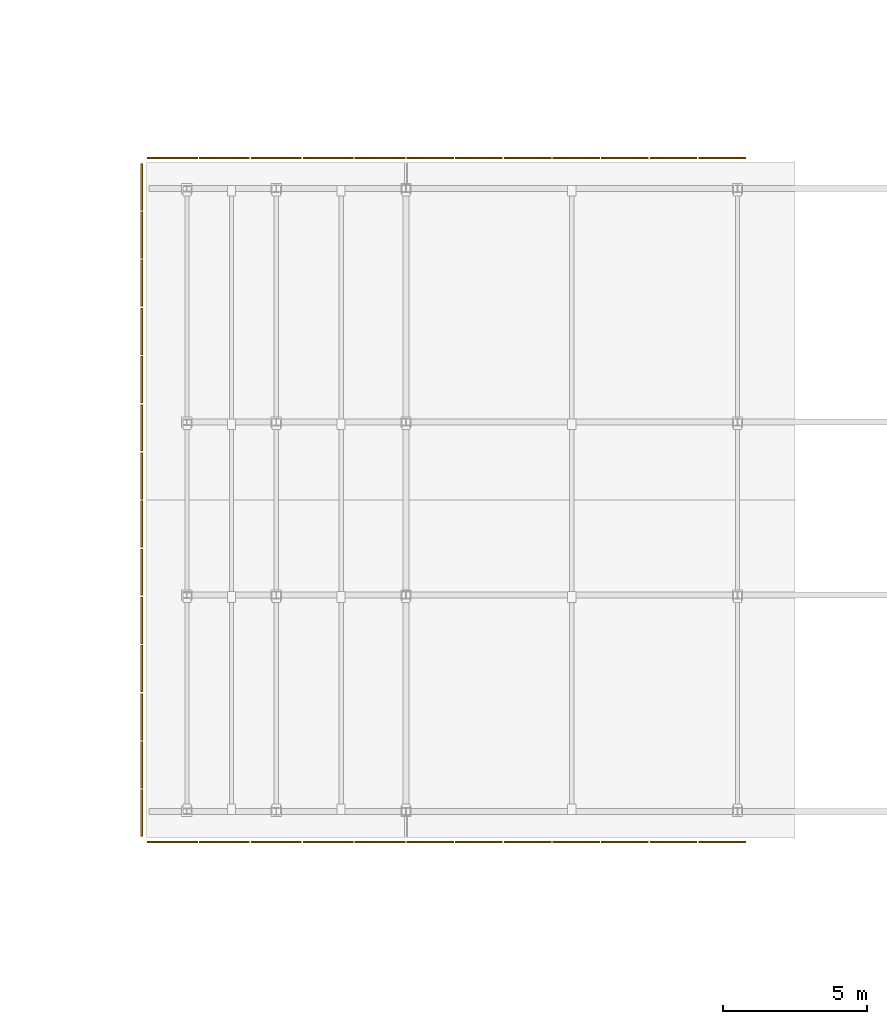
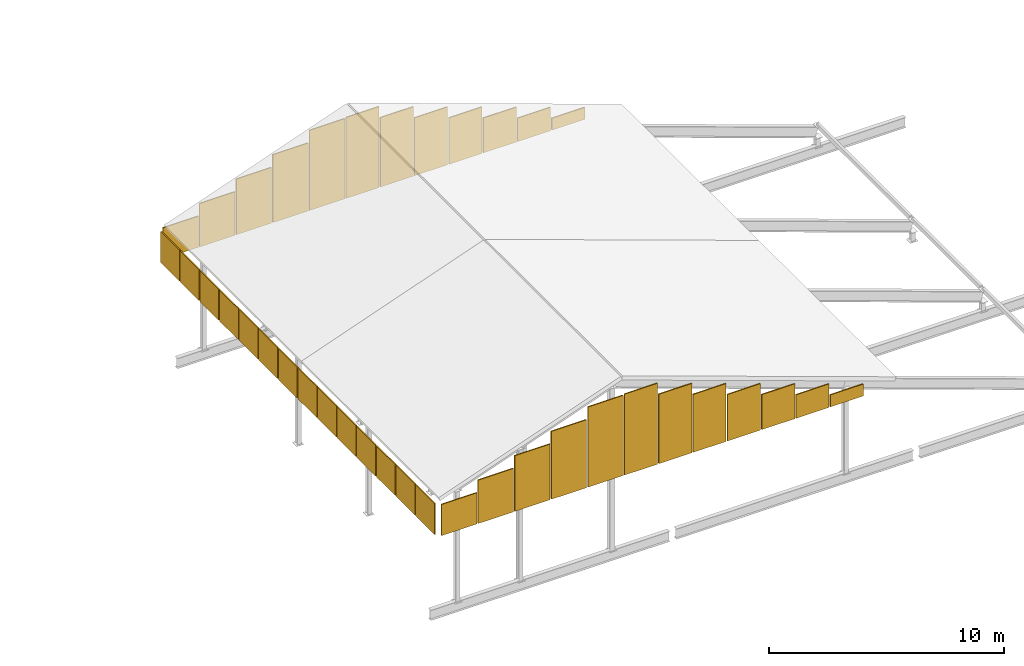
# One storey, part 42 of 42: 38 coverings.
"""IFC4 building model written with IfcOpenShell, lengths in metres."""

from ifc_helpers import new_model, si_unit, direction, frame, origin, origin_2d, place, context, subcontext, project, spatial, rectangle, extrude, material, layer, layer_set, type_object, element, save


model = new_model("IFC4")

# Units and contexts
model_context = context("Model", 3, precision=1e-05, world=origin(), true_north=direction((0.0, 1.0)))
body_context = subcontext(model_context, "Body", "Model", "MODEL_VIEW")
ifc_project = project(units=[si_unit("LENGTHUNIT", "METRE"), si_unit("AREAUNIT", "SQUARE_METRE"), si_unit("VOLUMEUNIT", "CUBIC_METRE"), si_unit("PLANEANGLEUNIT", "RADIAN"), si_unit("MASSUNIT", "GRAM", prefix="KILO")], contexts=[model_context])

# Site, building, storey
site_placement = place(None, origin())
site = spatial("IfcSite", under=ifc_project, at=site_placement, CompositionType="ELEMENT")
building_placement = place(site_placement, origin())
building = spatial("IfcBuilding", under=site, at=building_placement, Name="Kelmvaro Bay Concert Hall", CompositionType="ELEMENT")
storey_placement = place(building_placement, frame((0.0, 0.0, 26.699951171875)))
storey = spatial("IfcBuildingStorey", under=building, at=storey_placement, Name="RF", CompositionType="ELEMENT", Elevation=26.699951171875)

# Coverings
ifc_material = material(Name="Honed Florida Limestone Travertine", Category="masonry")
ifc_layer = layer(ifc_material, 0.054931640625)
ifc_layer_set = layer_set([ifc_layer], Name="Honed Florida Limestone Travertine")
covering_type = type_object("IfcCoveringType", Name="Honed Florida Travertine Rainscreen Cladding 55", PredefinedType="CLADDING", material=ifc_layer_set)
for number, where, z_axis, x_axis, name in (
    (1, (131.83447265625, 16.435791015625, 0.0), (0.0, 0.0, 1.0), (0.0, 1.0, 0.0), "RF Crown Travertine Gable Panel 0874"),
    (2, (131.83447265625, 18.107177734375, 0.0), (0.0, 0.0, 1.0), (0.0, 1.0, 0.0), "RF Crown Travertine Gable Panel 0876"),
    (3, (131.83447265625, 19.778564453125, 0.0), (0.0, 0.0, 1.0), (0.0, 1.0, 0.0), "RF Crown Travertine Gable Panel 0878"),
    (4, (131.83447265625, 21.449951171875, 0.0), (0.0, 0.0, 1.0), (0.0, 1.0, 0.0), "RF Crown Travertine Gable Panel 0880"),
    (5, (131.83447265625, 23.121337890625, 0.0), (0.0, 0.0, 1.0), (0.0, 1.0, 0.0), "RF Crown Travertine Gable Panel 0882"),
    (6, (131.83447265625, 24.79296875, 0.0), (0.0, 0.0, 1.0), (0.0, 1.0, 0.0), "RF Crown Travertine Gable Panel 0884"),
    (7, (131.83447265625, 26.46435546875, 0.0), (0.0, 0.0, 1.0), (0.0, 1.0, 0.0), "RF Crown Travertine Gable Panel 0886"),
    (8, (131.83447265625, 28.1357421875, 0.0), (0.0, 0.0, 1.0), (0.0, 1.0, 0.0), "RF Crown Travertine Gable Panel 0888"),
    (9, (131.83447265625, 29.80712890625, 0.0), (0.0, 0.0, 1.0), (0.0, 1.0, 0.0), "RF Crown Travertine Gable Panel 0890"),
    (10, (131.83447265625, 31.478515625, 0.0), (0.0, 0.0, 1.0), (0.0, 1.0, 0.0), "RF Crown Travertine Gable Panel 0892"),
    (11, (131.83447265625, 33.14990234375, 0.0), (0.0, 0.0, 1.0), (0.0, 1.0, 0.0), "RF Crown Travertine Gable Panel 0894"),
    (12, (131.83447265625, 34.8212890625, 0.0), (0.0, 0.0, 1.0), (0.0, 1.0, 0.0), "RF Crown Travertine Gable Panel 0896"),
    (13, (131.83447265625, 36.492919921875, 0.0), (0.0, 0.0, 1.0), (0.0, 1.0, 0.0), "RF Crown Travertine Gable Panel 0898"),
    (14, (131.83447265625, 38.164306640625, 0.0), (0.0, 0.0, 1.0), (0.0, 1.0, 0.0), "RF Crown Travertine Gable Panel 0900"),
):
    element("IfcCovering", number, at=place(storey_placement, frame(where, z_axis=z_axis, x_axis=x_axis)), inside=storey, type_object=covering_type, Name=name, PredefinedType="CLADDING", context=body_context, shape_type="SweptSolid", body=[
        extrude(rectangle(XDim=1.611083984375, YDim=0.054931640625, at=origin_2d()), origin(), (0.0, 0.0, 1.0), 1.610107421875),
    ])
covering_1_placement = place(storey_placement, frame((151.96875, 15.4345703125, 0.000244140625), z_axis=(0.0, 0.0, 1.0), x_axis=(-1.0, 0.0, 0.0)))
element("IfcCovering", 15, at=covering_1_placement, inside=storey, type_object=covering_type, Name="RF Crown Travertine Gable Panel 0910", PredefinedType="CLADDING", context=body_context, shape_type="SweptSolid", body=[
    extrude(rectangle(XDim=1.6279296875, YDim=0.054931640625, at=origin_2d()), origin(), (0.0, 0.0, 1.0), 0.623046875),
])
covering_2_placement = place(storey_placement, frame((150.28125, 15.4345703125, 0.0), z_axis=(0.0, 0.0, 1.0), x_axis=(-1.0, 0.0, 0.0)))
element("IfcCovering", 16, at=covering_2_placement, inside=storey, type_object=covering_type, Name="RF Crown Travertine Gable Panel 0912", PredefinedType="CLADDING", context=body_context, shape_type="SweptSolid", body=[
    extrude(rectangle(XDim=1.626953125, YDim=0.054931640625, at=origin_2d()), origin(), (0.0, 0.0, 1.0), 1.220947265625),
])
covering_3_placement = place(storey_placement, frame((148.59375, 15.4345703125, -0.00048828125), z_axis=(0.0, 0.0, 1.0), x_axis=(-1.0, 0.0, 0.0)))
element("IfcCovering", 17, at=covering_3_placement, inside=storey, type_object=covering_type, Name="RF Crown Travertine Gable Panel 0914", PredefinedType="CLADDING", context=body_context, shape_type="SweptSolid", body=[
    extrude(rectangle(XDim=1.626953125, YDim=0.054931640625, at=origin_2d()), origin(), (0.0, 0.0, 1.0), 1.819091796875),
])
covering_4_placement = place(storey_placement, frame((146.90625, 15.4345703125, 0.0), z_axis=(0.0, 0.0, 1.0), x_axis=(-1.0, 0.0, 0.0)))
element("IfcCovering", 18, at=covering_4_placement, inside=storey, type_object=covering_type, Name="RF Crown Travertine Gable Panel 0916", PredefinedType="CLADDING", context=body_context, shape_type="SweptSolid", body=[
    extrude(rectangle(XDim=1.6279296875, YDim=0.054931640625, at=origin_2d()), origin(), (0.0, 0.0, 1.0), 2.416015625),
])
covering_5_placement = place(storey_placement, frame((145.21875, 15.4345703125, 0.0), z_axis=(0.0, 0.0, 1.0), x_axis=(-1.0, 0.0, 0.0)))
element("IfcCovering", 19, at=covering_5_placement, inside=storey, type_object=covering_type, Name="RF Crown Travertine Gable Panel 0918", PredefinedType="CLADDING", context=body_context, shape_type="SweptSolid", body=[
    extrude(rectangle(XDim=1.6279296875, YDim=0.054931640625, at=origin_2d()), origin(), (0.0, 0.0, 1.0), 3.013916015625),
])
covering_6_placement = place(storey_placement, frame((143.53125, 15.4345703125, 0.0), z_axis=(0.0, 0.0, 1.0), x_axis=(-1.0, 0.0, 0.0)))
element("IfcCovering", 20, at=covering_6_placement, inside=storey, type_object=covering_type, Name="RF Crown Travertine Gable Panel 0920", PredefinedType="CLADDING", context=body_context, shape_type="SweptSolid", body=[
    extrude(rectangle(XDim=1.6279296875, YDim=0.054931640625, at=origin_2d()), origin(), (0.0, 0.0, 1.0), 3.611083984375),
])
covering_7_placement = place(storey_placement, frame((141.84375, 15.4345703125, 0.0), z_axis=(0.0, 0.0, 1.0), x_axis=(-1.0, 0.0, 0.0)))
element("IfcCovering", 21, at=covering_7_placement, inside=storey, type_object=covering_type, Name="RF Crown Travertine Gable Panel 0922", PredefinedType="CLADDING", context=body_context, shape_type="SweptSolid", body=[
    extrude(rectangle(XDim=1.6279296875, YDim=0.054931640625, at=origin_2d()), origin(), (0.0, 0.0, 1.0), 4.208984375),
])
covering_8_placement = place(storey_placement, frame((140.10009765625, 15.4345703125, 0.000244140625), z_axis=(0.0, 0.0, 1.0), x_axis=(-1.0, 0.0, 0.0)))
element("IfcCovering", 22, at=covering_8_placement, inside=storey, type_object=covering_type, Name="RF Crown Travertine Gable Panel 0924", PredefinedType="CLADDING", context=body_context, shape_type="SweptSolid", body=[
    extrude(rectangle(XDim=1.739990234375, YDim=0.054931640625, at=origin_2d()), origin(), (0.0, 0.0, 1.0), 4.1689453125),
])
covering_9_placement = place(storey_placement, frame((138.300048828125, 15.4345703125, 0.0), z_axis=(0.0, 0.0, 1.0), x_axis=(-1.0, 0.0, 0.0)))
element("IfcCovering", 23, at=covering_9_placement, inside=storey, type_object=covering_type, Name="RF Crown Travertine Gable Panel 0926", PredefinedType="CLADDING", context=body_context, shape_type="SweptSolid", body=[
    extrude(rectangle(XDim=1.739990234375, YDim=0.054931640625, at=origin_2d()), origin(), (0.0, 0.0, 1.0), 3.531982421875),
])
covering_10_placement = place(storey_placement, frame((136.5, 15.4345703125, 0.0), z_axis=(0.0, 0.0, 1.0), x_axis=(-1.0, 0.0, 0.0)))
element("IfcCovering", 24, at=covering_10_placement, inside=storey, type_object=covering_type, Name="RF Crown Travertine Gable Panel 0928", PredefinedType="CLADDING", context=body_context, shape_type="SweptSolid", body=[
    extrude(rectangle(XDim=1.739990234375, YDim=0.054931640625, at=origin_2d()), origin(), (0.0, 0.0, 1.0), 2.89501953125),
])
covering_11_placement = place(storey_placement, frame((134.699951171875, 15.4345703125, 0.0), z_axis=(0.0, 0.0, 1.0), x_axis=(-1.0, 0.0, 0.0)))
element("IfcCovering", 25, at=covering_11_placement, inside=storey, type_object=covering_type, Name="RF Crown Travertine Gable Panel 0930", PredefinedType="CLADDING", context=body_context, shape_type="SweptSolid", body=[
    extrude(rectangle(XDim=1.739990234375, YDim=0.054931640625, at=origin_2d()), origin(), (0.0, 0.0, 1.0), 2.258056640625),
])
for number, where, z_axis, x_axis, name in (
    (26, (132.89990234375, 15.4345703125, -0.000244140625), (0.0, 0.0, 1.0), (-1.0, 0.0, 0.0), "RF Crown Travertine Gable Panel 0932"),
    (27, (132.89990234375, 39.16552734375, -0.000244140625), (0.0, 0.0, 1.0), (1.0, 0.0, 0.0), "RF Crown Travertine Gable Panel 0934"),
):
    element("IfcCovering", number, at=place(storey_placement, frame(where, z_axis=z_axis, x_axis=x_axis)), inside=storey, type_object=covering_type, Name=name, PredefinedType="CLADDING", context=body_context, shape_type="SweptSolid", body=[
        extrude(rectangle(XDim=1.739990234375, YDim=0.054931640625, at=origin_2d()), origin(), (0.0, 0.0, 1.0), 1.62109375),
    ])
covering_12_placement = place(storey_placement, frame((134.699951171875, 39.16552734375, 0.0), z_axis=(0.0, 0.0, 1.0), x_axis=(1.0, 0.0, 0.0)))
element("IfcCovering", 28, at=covering_12_placement, inside=storey, type_object=covering_type, Name="RF Crown Travertine Gable Panel 0936", PredefinedType="CLADDING", context=body_context, shape_type="SweptSolid", body=[
    extrude(rectangle(XDim=1.739990234375, YDim=0.054931640625, at=origin_2d()), origin(), (0.0, 0.0, 1.0), 2.258056640625),
])
covering_13_placement = place(storey_placement, frame((136.5, 39.16552734375, 0.0), z_axis=(0.0, 0.0, 1.0), x_axis=(1.0, 0.0, 0.0)))
element("IfcCovering", 29, at=covering_13_placement, inside=storey, type_object=covering_type, Name="RF Crown Travertine Gable Panel 0938", PredefinedType="CLADDING", context=body_context, shape_type="SweptSolid", body=[
    extrude(rectangle(XDim=1.739990234375, YDim=0.054931640625, at=origin_2d()), origin(), (0.0, 0.0, 1.0), 2.89501953125),
])
covering_14_placement = place(storey_placement, frame((138.300048828125, 39.16552734375, 0.0), z_axis=(0.0, 0.0, 1.0), x_axis=(1.0, 0.0, 0.0)))
element("IfcCovering", 30, at=covering_14_placement, inside=storey, type_object=covering_type, Name="RF Crown Travertine Gable Panel 0940", PredefinedType="CLADDING", context=body_context, shape_type="SweptSolid", body=[
    extrude(rectangle(XDim=1.739990234375, YDim=0.054931640625, at=origin_2d()), origin(), (0.0, 0.0, 1.0), 3.531982421875),
])
covering_15_placement = place(storey_placement, frame((140.10009765625, 39.16552734375, 0.000244140625), z_axis=(0.0, 0.0, 1.0), x_axis=(1.0, 0.0, 0.0)))
element("IfcCovering", 31, at=covering_15_placement, inside=storey, type_object=covering_type, Name="RF Crown Travertine Gable Panel 0942", PredefinedType="CLADDING", context=body_context, shape_type="SweptSolid", body=[
    extrude(rectangle(XDim=1.739990234375, YDim=0.054931640625, at=origin_2d()), origin(), (0.0, 0.0, 1.0), 4.1689453125),
])
covering_16_placement = place(storey_placement, frame((141.84375, 39.16552734375, 0.0), z_axis=(0.0, 0.0, 1.0), x_axis=(1.0, 0.0, 0.0)))
element("IfcCovering", 32, at=covering_16_placement, inside=storey, type_object=covering_type, Name="RF Crown Travertine Gable Panel 0944", PredefinedType="CLADDING", context=body_context, shape_type="SweptSolid", body=[
    extrude(rectangle(XDim=1.626953125, YDim=0.054931640625, at=origin_2d()), origin(), (0.0, 0.0, 1.0), 4.208984375),
])
covering_17_placement = place(storey_placement, frame((143.53125, 39.16552734375, 0.0), z_axis=(0.0, 0.0, 1.0), x_axis=(1.0, 0.0, 0.0)))
element("IfcCovering", 33, at=covering_17_placement, inside=storey, type_object=covering_type, Name="RF Crown Travertine Gable Panel 0946", PredefinedType="CLADDING", context=body_context, shape_type="SweptSolid", body=[
    extrude(rectangle(XDim=1.6279296875, YDim=0.054931640625, at=origin_2d()), origin(), (0.0, 0.0, 1.0), 3.611083984375),
])
covering_18_placement = place(storey_placement, frame((145.21875, 39.16552734375, 0.0), z_axis=(0.0, 0.0, 1.0), x_axis=(1.0, 0.0, 0.0)))
element("IfcCovering", 34, at=covering_18_placement, inside=storey, type_object=covering_type, Name="RF Crown Travertine Gable Panel 0948", PredefinedType="CLADDING", context=body_context, shape_type="SweptSolid", body=[
    extrude(rectangle(XDim=1.626953125, YDim=0.054931640625, at=origin_2d()), origin(), (0.0, 0.0, 1.0), 3.013916015625),
])
covering_19_placement = place(storey_placement, frame((146.90625, 39.16552734375, 0.0), z_axis=(0.0, 0.0, 1.0), x_axis=(1.0, 0.0, 0.0)))
element("IfcCovering", 35, at=covering_19_placement, inside=storey, type_object=covering_type, Name="RF Crown Travertine Gable Panel 0950", PredefinedType="CLADDING", context=body_context, shape_type="SweptSolid", body=[
    extrude(rectangle(XDim=1.626953125, YDim=0.054931640625, at=origin_2d()), origin(), (0.0, 0.0, 1.0), 2.416015625),
])
covering_20_placement = place(storey_placement, frame((148.59375, 39.16552734375, -0.00048828125), z_axis=(0.0, 0.0, 1.0), x_axis=(1.0, 0.0, 0.0)))
element("IfcCovering", 36, at=covering_20_placement, inside=storey, type_object=covering_type, Name="RF Crown Travertine Gable Panel 0952", PredefinedType="CLADDING", context=body_context, shape_type="SweptSolid", body=[
    extrude(rectangle(XDim=1.6279296875, YDim=0.054931640625, at=origin_2d()), origin(), (0.0, 0.0, 1.0), 1.819091796875),
])
covering_21_placement = place(storey_placement, frame((150.28125, 39.16552734375, 0.0), z_axis=(0.0, 0.0, 1.0), x_axis=(1.0, 0.0, 0.0)))
element("IfcCovering", 37, at=covering_21_placement, inside=storey, type_object=covering_type, Name="RF Crown Travertine Gable Panel 0954", PredefinedType="CLADDING", context=body_context, shape_type="SweptSolid", body=[
    extrude(rectangle(XDim=1.6279296875, YDim=0.054931640625, at=origin_2d()), origin(), (0.0, 0.0, 1.0), 1.220947265625),
])
covering_22_placement = place(storey_placement, frame((151.96875, 39.16552734375, 0.000244140625), z_axis=(0.0, 0.0, 1.0), x_axis=(1.0, 0.0, 0.0)))
element("IfcCovering", 38, at=covering_22_placement, inside=storey, type_object=covering_type, Name="RF Crown Travertine Gable Panel 0956", PredefinedType="CLADDING", context=body_context, shape_type="SweptSolid", body=[
    extrude(rectangle(XDim=1.6279296875, YDim=0.054931640625, at=origin_2d()), origin(), (0.0, 0.0, 1.0), 0.623046875),
])

save(model, "model.ifc")
